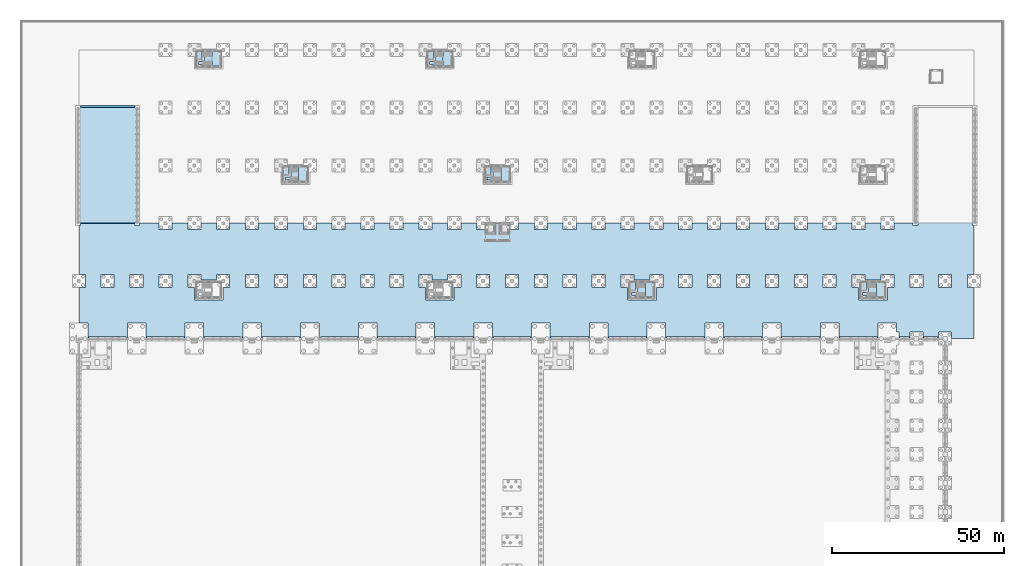
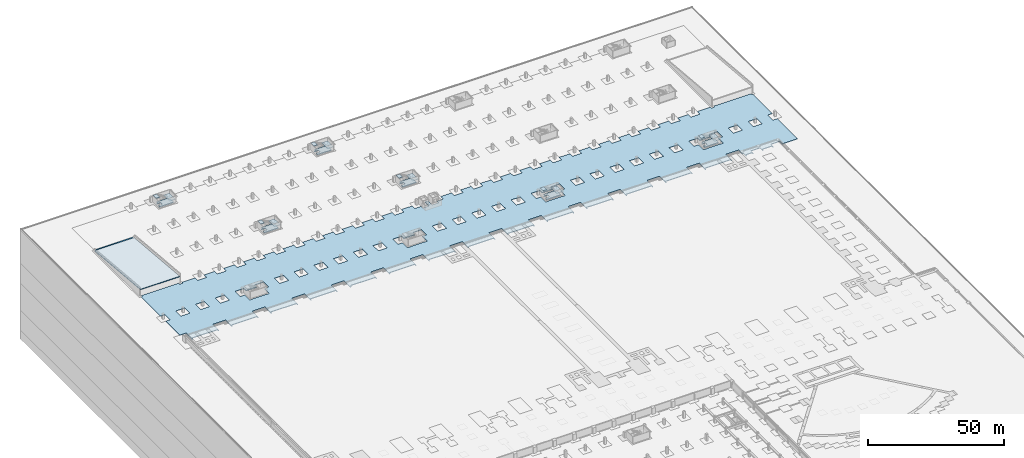
# One storey, part 32 of 67: 21 slabs, 6 elements without a shape of their own.
"""IFC4 building model written with IfcOpenShell, lengths in metres."""

from ifc_helpers import new_model, si_unit, direction, frame, origin, place, context, subcontext, project, spatial, polyline, outline, extrude, material, layer, layer_set, type_object, element, aggregate, save


model = new_model("IFC4")

# Units and contexts
model_context = context("Model", 3, precision=1e-05, world=origin(), true_north=direction((0.0, 1.0)))
body_context = subcontext(model_context, "Body", "Model", "MODEL_VIEW")
ifc_project = project(units=[si_unit("LENGTHUNIT", "METRE"), si_unit("AREAUNIT", "SQUARE_METRE"), si_unit("VOLUMEUNIT", "CUBIC_METRE"), si_unit("PLANEANGLEUNIT", "RADIAN"), si_unit("MASSUNIT", "GRAM", prefix="KILO")], contexts=[model_context])

# Site, building, storey
site_placement = place(None, origin())
site = spatial("IfcSite", under=ifc_project, at=site_placement, CompositionType="ELEMENT")
building_placement = place(site_placement, origin())
building = spatial("IfcBuilding", under=site, at=building_placement, Name="Rain Tree Exposition and Congress Centre", CompositionType="ELEMENT")
storey_placement = place(building_placement, frame((0.0, 0.0, -3.0)))
storey = spatial("IfcBuildingStorey", under=building, at=storey_placement, Name="B1", CompositionType="ELEMENT", Elevation=-3.0)

# Slabs
ifc_material_1 = material(Name="Concrete C40/50", Category="concrete")
ifc_layer_1 = layer(ifc_material_1, 0.300048828125)
ifc_layer_set_1 = layer_set([ifc_layer_1], Name="Concrete C40/50")
slab_type_1 = type_object("IfcSlabType", Name="Base slab 300", PredefinedType="BASESLAB", material=ifc_layer_set_1)
slab_1_placement = place(storey_placement, frame((0.0, 0.0, -0.300048828125)))
element("IfcSlab", 1, at=slab_1_placement, inside=storey, type_object=slab_type_1, Name="Undercroft base slab 2", PredefinedType="BASESLAB", context=body_context, shape_type="SweptSolid", body=[
    extrude(outline(polyline([(268.300048828125, 235.199951171875), (252.5, 235.199951171875), (252.5, 234.5), (251.10009765625, 234.5), (251.10009765625, 235.199951171875), (245.5, 235.199951171875), (245.5, 233.300048828125), (241.699951171875, 233.300048828125), (241.699951171875, 235.199951171875), (237.10009765625, 235.199951171875), (237.10009765625, 233.300048828125), (233.300048828125, 233.300048828125), (233.300048828125, 235.199951171875), (228.699951171875, 235.199951171875), (228.699951171875, 233.300048828125), (224.89990234375, 233.300048828125), (224.89990234375, 235.199951171875), (220.300048828125, 235.199951171875), (220.300048828125, 233.300048828125), (216.5, 233.300048828125), (216.5, 235.199951171875), (211.89990234375, 235.199951171875), (211.89990234375, 233.300048828125), (208.10009765625, 233.300048828125), (208.10009765625, 235.199951171875), (203.5, 235.199951171875), (203.5, 233.300048828125), (199.699951171875, 233.300048828125), (199.699951171875, 235.199951171875), (195.10009765625, 235.199951171875), (195.10009765625, 233.300048828125), (191.300048828125, 233.300048828125), (191.300048828125, 235.199951171875), (186.699951171875, 235.199951171875), (186.699951171875, 233.300048828125), (182.89990234375, 233.300048828125), (182.89990234375, 235.199951171875), (178.300048828125, 235.199951171875), (178.300048828125, 233.300048828125), (174.5, 233.300048828125), (174.5, 235.199951171875), (169.89990234375, 235.199951171875), (169.89990234375, 233.300048828125), (166.10009765625, 233.300048828125), (166.10009765625, 235.199951171875), (161.5, 235.199951171875), (161.5, 233.300048828125), (157.699951171875, 233.300048828125), (157.699951171875, 235.199951171875), (153.10009765625, 235.199951171875), (153.10009765625, 233.300048828125), (149.300048828125, 233.300048828125), (149.300048828125, 235.199951171875), (144.699951171875, 235.199951171875), (144.699951171875, 233.300048828125), (140.89990234375, 233.300048828125), (140.89990234375, 235.199951171875), (136.300048828125, 235.199951171875), (136.300048828125, 233.300048828125), (133.60009765625, 233.300048828125), (133.60009765625, 232.10009765625), (130.89990234375, 232.10009765625), (130.89990234375, 235.199951171875), (129.5, 235.199951171875), (129.5, 232.10009765625), (126.800048828125, 232.10009765625), (126.800048828125, 233.300048828125), (124.10009765625, 233.300048828125), (124.10009765625, 235.199951171875), (119.5, 235.199951171875), (119.5, 233.300048828125), (115.699951171875, 233.300048828125), (115.699951171875, 235.199951171875), (111.10009765625, 235.199951171875), (111.10009765625, 233.300048828125), (107.300048828125, 233.300048828125), (107.300048828125, 235.199951171875), (102.699951171875, 235.199951171875), (102.699951171875, 233.300048828125), (98.89990234375, 233.300048828125), (98.89990234375, 235.199951171875), (94.300048828125, 235.199951171875), (94.300048828125, 233.300048828125), (90.5, 233.300048828125), (90.5, 235.199951171875), (85.89990234375, 235.199951171875), (85.89990234375, 233.300048828125), (82.10009765625, 233.300048828125), (82.10009765625, 235.199951171875), (77.5, 235.199951171875), (77.5, 233.300048828125), (73.699951171875, 233.300048828125), (73.699951171875, 235.199951171875), (69.10009765625, 235.199951171875), (69.10009765625, 233.300048828125), (65.300048828125, 233.300048828125), (65.300048828125, 235.199951171875), (60.699951171875, 235.199951171875), (60.699951171875, 233.300048828125), (56.89990234375, 233.300048828125), (56.89990234375, 235.199951171875), (52.300048828125, 235.199951171875), (52.300048828125, 233.300048828125), (48.5, 233.300048828125), (48.5, 235.199951171875), (43.89990234375, 235.199951171875), (43.89990234375, 233.300048828125), (40.10009765625, 233.300048828125), (40.10009765625, 235.199951171875), (35.5, 235.199951171875), (35.5, 233.300048828125), (31.699951171875, 233.300048828125), (31.699951171875, 235.199951171875), (26.10009765625, 235.199951171875), (26.10009765625, 234.5), (24.699951171875, 234.5), (24.699951171875, 235.199951171875), (8.89990234375, 235.199951171875), (8.89990234375, 234.5), (8.39990234375, 234.5), (8.39990234375, 220.300048828125), (10.300048828125, 220.300048828125), (10.300048828125, 216.5), (8.39990234375, 216.5), (8.39990234375, 206.10009765625), (11.10009765625, 206.10009765625), (11.10009765625, 201.60009765625), (11.39990234375, 201.60009765625), (11.39990234375, 202.300048828125), (16.05322265625, 202.300048828125), (22.199951171875, 202.300048828125), (22.199951171875, 201.60009765625), (22.5, 201.60009765625), (22.5, 206.10009765625), (27.89990234375, 206.10009765625), (27.89990234375, 201.60009765625), (28.199951171875, 201.60009765625), (28.199951171875, 202.300048828125), (31.760009765625, 202.300048828125), (39.0, 202.300048828125), (39.0, 201.60009765625), (39.300048828125, 201.60009765625), (39.300048828125, 206.10009765625), (44.699951171875, 206.10009765625), (44.699951171875, 201.60009765625), (45.0, 201.60009765625), (45.0, 202.300048828125), (47.466796875, 202.300048828125), (55.320068359375, 202.300048828125), (55.800048828125, 202.300048828125), (55.800048828125, 201.60009765625), (56.10009765625, 201.60009765625), (56.10009765625, 206.10009765625), (61.5, 206.10009765625), (61.5, 201.60009765625), (61.800048828125, 201.60009765625), (61.800048828125, 202.300048828125), (63.17333984375, 202.300048828125), (71.026611328125, 202.300048828125), (72.60009765625, 202.300048828125), (72.60009765625, 201.60009765625), (72.89990234375, 201.60009765625), (72.89990234375, 206.10009765625), (78.300048828125, 206.10009765625), (78.300048828125, 201.60009765625), (78.8798828125, 201.60009765625), (78.8798828125, 202.300048828125), (86.7333984375, 202.300048828125), (89.39990234375, 202.300048828125), (89.39990234375, 201.60009765625), (89.699951171875, 201.60009765625), (89.699951171875, 206.10009765625), (95.10009765625, 206.10009765625), (95.10009765625, 201.60009765625), (95.39990234375, 201.60009765625), (95.39990234375, 202.300048828125), (102.43994140625, 202.300048828125), (106.199951171875, 202.300048828125), (106.199951171875, 201.60009765625), (106.5, 201.60009765625), (106.5, 206.10009765625), (111.89990234375, 206.10009765625), (111.89990234375, 201.60009765625), (112.199951171875, 201.60009765625), (112.199951171875, 202.300048828125), (118.146728515625, 202.300048828125), (123.0, 202.300048828125), (123.0, 201.60009765625), (123.300048828125, 201.60009765625), (123.300048828125, 206.10009765625), (128.699951171875, 206.10009765625), (128.699951171875, 201.60009765625), (129.0, 201.60009765625), (129.0, 202.300048828125), (134.39990234375, 202.300048828125), (139.800048828125, 202.300048828125), (139.800048828125, 201.60009765625), (140.10009765625, 201.60009765625), (140.10009765625, 206.10009765625), (145.5, 206.10009765625), (145.5, 201.60009765625), (145.800048828125, 201.60009765625), (145.800048828125, 202.300048828125), (151.199951171875, 202.300048828125), (156.60009765625, 202.300048828125), (156.60009765625, 201.60009765625), (156.89990234375, 201.60009765625), (156.89990234375, 206.10009765625), (162.300048828125, 206.10009765625), (162.300048828125, 201.60009765625), (162.60009765625, 201.60009765625), (162.60009765625, 202.300048828125), (168.0, 202.300048828125), (173.39990234375, 202.300048828125), (173.39990234375, 201.60009765625), (173.699951171875, 201.60009765625), (173.699951171875, 206.10009765625), (179.10009765625, 206.10009765625), (179.10009765625, 201.60009765625), (179.39990234375, 201.60009765625), (179.39990234375, 202.300048828125), (184.800048828125, 202.300048828125), (190.199951171875, 202.300048828125), (190.199951171875, 201.60009765625), (190.5, 201.60009765625), (190.5, 206.10009765625), (195.89990234375, 206.10009765625), (195.89990234375, 201.60009765625), (196.199951171875, 201.60009765625), (196.199951171875, 202.300048828125), (201.60009765625, 202.300048828125), (207.0, 202.300048828125), (207.0, 201.60009765625), (207.300048828125, 201.60009765625), (207.300048828125, 206.10009765625), (212.699951171875, 206.10009765625), (212.699951171875, 201.60009765625), (213.0, 201.60009765625), (213.0, 202.300048828125), (218.39990234375, 202.300048828125), (223.800048828125, 202.300048828125), (223.800048828125, 201.60009765625), (224.10009765625, 201.60009765625), (224.10009765625, 206.10009765625), (229.5, 206.10009765625), (229.5, 201.60009765625), (229.800048828125, 201.60009765625), (229.800048828125, 202.300048828125), (235.199951171875, 202.300048828125), (240.60009765625, 202.300048828125), (240.60009765625, 201.60009765625), (240.89990234375, 201.60009765625), (240.89990234375, 206.10009765625), (246.300048828125, 206.10009765625), (246.300048828125, 203.5), (246.89990234375, 203.5), (246.89990234375, 201.60009765625), (247.199951171875, 201.60009765625), (247.199951171875, 202.300048828125), (249.800048828125, 202.300048828125), (249.800048828125, 201.60009765625), (250.10009765625, 201.60009765625), (250.10009765625, 203.5), (253.89990234375, 203.5), (253.89990234375, 201.60009765625), (254.199951171875, 201.60009765625), (254.199951171875, 202.300048828125), (258.199951171875, 202.300048828125), (258.199951171875, 201.60009765625), (258.5, 201.60009765625), (258.5, 203.5), (262.300048828125, 203.5), (262.300048828125, 201.60009765625), (268.800048828125, 201.60009765625), (268.800048828125, 216.5), (266.89990234375, 216.5), (266.89990234375, 220.300048828125), (268.800048828125, 220.300048828125), (268.800048828125, 234.5), (268.300048828125, 234.5), (268.300048828125, 235.199951171875)]), holes=[polyline([(43.89990234375, 220.300048828125), (40.10009765625, 220.300048828125), (40.10009765625, 216.5), (42.0, 216.5), (42.0, 212.800048828125), (43.199951171875, 212.800048828125), (43.199951171875, 212.89990234375), (46.199951171875, 212.89990234375), (49.199951171875, 212.89990234375), (49.199951171875, 212.800048828125), (50.39990234375, 212.800048828125), (50.39990234375, 213.39990234375), (50.39990234375, 216.5), (52.300048828125, 216.5), (52.300048828125, 220.300048828125), (48.5, 220.300048828125), (48.5, 218.699951171875), (46.199951171875, 218.699951171875), (43.89990234375, 218.699951171875), (43.89990234375, 220.300048828125)]), polyline([(31.699951171875, 220.300048828125), (31.699951171875, 216.5), (35.5, 216.5), (35.5, 220.300048828125), (31.699951171875, 220.300048828125)]), polyline([(65.300048828125, 220.300048828125), (65.300048828125, 216.5), (69.10009765625, 216.5), (69.10009765625, 220.300048828125), (65.300048828125, 220.300048828125)]), polyline([(14.89990234375, 220.300048828125), (14.89990234375, 216.5), (18.699951171875, 216.5), (18.699951171875, 220.300048828125), (14.89990234375, 220.300048828125)]), polyline([(56.89990234375, 220.300048828125), (56.89990234375, 216.5), (60.699951171875, 216.5), (60.699951171875, 220.300048828125), (56.89990234375, 220.300048828125)]), polyline([(23.300048828125, 216.5), (27.10009765625, 216.5), (27.10009765625, 220.300048828125), (23.300048828125, 220.300048828125), (23.300048828125, 216.5)]), polyline([(117.60009765625, 212.800048828125), (117.60009765625, 213.39990234375), (117.60009765625, 216.5), (119.5, 216.5), (119.5, 220.300048828125), (115.699951171875, 220.300048828125), (115.699951171875, 218.699951171875), (113.39990234375, 218.699951171875), (111.10009765625, 218.699951171875), (111.10009765625, 220.300048828125), (107.300048828125, 220.300048828125), (107.300048828125, 216.5), (109.199951171875, 216.5), (109.199951171875, 212.800048828125), (110.39990234375, 212.800048828125), (110.39990234375, 212.89990234375), (113.39990234375, 212.89990234375), (116.39990234375, 212.89990234375), (116.39990234375, 212.800048828125), (117.60009765625, 212.800048828125)]), polyline([(132.5, 216.5), (136.300048828125, 216.5), (136.300048828125, 220.300048828125), (132.5, 220.300048828125), (132.5, 216.5)]), polyline([(73.699951171875, 220.300048828125), (73.699951171875, 216.5), (77.5, 216.5), (77.5, 220.300048828125), (73.699951171875, 220.300048828125)]), polyline([(124.10009765625, 220.300048828125), (124.10009765625, 216.5), (127.89990234375, 216.5), (127.89990234375, 220.300048828125), (124.10009765625, 220.300048828125)]), polyline([(98.89990234375, 220.300048828125), (98.89990234375, 216.5), (102.699951171875, 216.5), (102.699951171875, 220.300048828125), (98.89990234375, 220.300048828125)]), polyline([(90.5, 220.300048828125), (90.5, 216.5), (94.300048828125, 216.5), (94.300048828125, 220.300048828125), (90.5, 220.300048828125)]), polyline([(82.10009765625, 220.300048828125), (82.10009765625, 216.5), (85.89990234375, 216.5), (85.89990234375, 220.300048828125), (82.10009765625, 220.300048828125)]), polyline([(169.89990234375, 218.699951171875), (169.89990234375, 220.300048828125), (166.10009765625, 220.300048828125), (166.10009765625, 216.5), (168.0, 216.5), (168.0, 212.800048828125), (169.199951171875, 212.800048828125), (169.199951171875, 212.89990234375), (172.199951171875, 212.89990234375), (175.199951171875, 212.89990234375), (175.199951171875, 212.800048828125), (176.39990234375, 212.800048828125), (176.39990234375, 213.39990234375), (176.39990234375, 216.5), (178.300048828125, 216.5), (178.300048828125, 220.300048828125), (174.5, 220.300048828125), (174.5, 218.699951171875), (172.199951171875, 218.699951171875), (169.89990234375, 218.699951171875)]), polyline([(199.699951171875, 220.300048828125), (199.699951171875, 216.5), (203.5, 216.5), (203.5, 220.300048828125), (199.699951171875, 220.300048828125)]), polyline([(149.300048828125, 220.300048828125), (149.300048828125, 216.5), (153.10009765625, 216.5), (153.10009765625, 220.300048828125), (149.300048828125, 220.300048828125)]), polyline([(157.699951171875, 220.300048828125), (157.699951171875, 216.5), (161.5, 216.5), (161.5, 220.300048828125), (157.699951171875, 220.300048828125)]), polyline([(182.89990234375, 220.300048828125), (182.89990234375, 216.5), (186.699951171875, 216.5), (186.699951171875, 220.300048828125), (182.89990234375, 220.300048828125)]), polyline([(140.89990234375, 216.5), (144.699951171875, 216.5), (144.699951171875, 220.300048828125), (140.89990234375, 220.300048828125), (140.89990234375, 216.5)]), polyline([(191.300048828125, 220.300048828125), (191.300048828125, 216.5), (195.10009765625, 216.5), (195.10009765625, 220.300048828125), (191.300048828125, 220.300048828125)]), polyline([(237.10009765625, 220.300048828125), (233.300048828125, 220.300048828125), (233.300048828125, 216.5), (235.199951171875, 216.5), (235.199951171875, 212.800048828125), (236.39990234375, 212.800048828125), (236.39990234375, 212.89990234375), (239.39990234375, 212.89990234375), (242.39990234375, 212.89990234375), (242.39990234375, 212.800048828125), (243.60009765625, 212.800048828125), (243.60009765625, 213.39990234375), (243.60009765625, 216.5), (245.5, 216.5), (245.5, 220.300048828125), (241.699951171875, 220.300048828125), (241.699951171875, 218.699951171875), (239.39990234375, 218.699951171875), (237.10009765625, 218.699951171875), (237.10009765625, 220.300048828125)]), polyline([(208.10009765625, 220.300048828125), (208.10009765625, 216.5), (211.89990234375, 216.5), (211.89990234375, 220.300048828125), (208.10009765625, 220.300048828125)]), polyline([(258.5, 220.300048828125), (258.5, 216.5), (262.300048828125, 216.5), (262.300048828125, 220.300048828125), (258.5, 220.300048828125)]), polyline([(250.10009765625, 220.300048828125), (250.10009765625, 216.5), (253.89990234375, 216.5), (253.89990234375, 220.300048828125), (250.10009765625, 220.300048828125)]), polyline([(224.89990234375, 220.300048828125), (224.89990234375, 216.5), (228.699951171875, 216.5), (228.699951171875, 220.300048828125), (224.89990234375, 220.300048828125)]), polyline([(216.5, 220.300048828125), (216.5, 216.5), (220.300048828125, 216.5), (220.300048828125, 220.300048828125), (216.5, 220.300048828125)])]), origin(), (0.0, 0.0, 1.0), 0.300048828125),
])
slab_2_placement = place(storey_placement, frame((0.0, 0.0, -0.300048828125)))
element("IfcSlab", 2, at=slab_2_placement, inside=storey, type_object=slab_type_1, Name="Undercroft base slab 2 part 1", PredefinedType="BASESLAB", context=body_context, shape_type="SweptSolid", body=[
    extrude(outline(polyline([(170.89990234375, 216.300048828125), (170.89990234375, 215.10009765625), (169.199951171875, 215.10009765625), (169.199951171875, 214.10009765625), (172.199951171875, 214.10009765625), (175.199951171875, 214.10009765625), (175.199951171875, 216.5), (174.5, 216.5), (174.5, 217.5), (172.199951171875, 217.5), (169.89990234375, 217.5), (169.89990234375, 216.5), (169.199951171875, 216.5), (169.199951171875, 216.300048828125), (170.300048828125, 216.300048828125), (170.89990234375, 216.300048828125)])), origin(), (0.0, 0.0, 1.0), 0.300048828125),
])
slab_3_placement = place(storey_placement, frame((0.0, 0.0, -0.300048828125)))
element("IfcSlab", 3, at=slab_3_placement, inside=storey, type_object=slab_type_1, Name="Undercroft base slab 2 part 3", PredefinedType="BASESLAB", context=body_context, shape_type="SweptSolid", body=[
    extrude(outline(polyline([(237.5, 216.300048828125), (238.10009765625, 216.300048828125), (238.10009765625, 215.10009765625), (236.39990234375, 215.10009765625), (236.39990234375, 214.10009765625), (239.39990234375, 214.10009765625), (242.39990234375, 214.10009765625), (242.39990234375, 216.5), (241.699951171875, 216.5), (241.699951171875, 217.5), (239.39990234375, 217.5), (237.10009765625, 217.5), (237.10009765625, 216.5), (236.39990234375, 216.5), (236.39990234375, 216.300048828125), (237.5, 216.300048828125)])), origin(), (0.0, 0.0, 1.0), 0.300048828125),
])
ifc_material_2 = material(Name="Concrete C40/50", Category="concrete")
ifc_layer_2 = layer(ifc_material_2, 0.300048828125)
ifc_layer_set_2 = layer_set([ifc_layer_2], Name="Concrete C40/50")
slab_type_2 = type_object("IfcSlabType", Name="Ground slab 300 logistics", PredefinedType="BASESLAB", material=ifc_layer_set_2)
slab_4_placement = place(storey_placement, frame((0.0, 0.0, -0.60009765625)))
element("IfcSlab", 4, at=slab_4_placement, inside=storey, type_object=slab_type_2, Name="Truck Ramp A toe slab", PredefinedType="BASESLAB", context=body_context, shape_type="SweptSolid", body=[
    extrude(outline(polyline([(24.699951171875, 269.39990234375), (8.89990234375, 269.39990234375), (8.89990234375, 268.800048828125), (24.699951171875, 268.800048828125), (24.699951171875, 269.39990234375)])), origin(), (0.0, 0.0, 1.0), 0.60009765625),
])
slab_5_placement = place(storey_placement, frame((0.0, 0.0, -0.300048828125)))
element("IfcSlab", 5, at=slab_5_placement, inside=storey, type_object=slab_type_2, Name="Service yard slab part 1", PredefinedType="BASESLAB", context=body_context, shape_type="SweptSolid", body=[
    extrude(outline(polyline([(127.89990234375, 251.10009765625), (127.89990234375, 250.10009765625), (127.199951171875, 250.10009765625), (127.199951171875, 249.89990234375), (128.300048828125, 249.89990234375), (128.89990234375, 249.89990234375), (128.89990234375, 248.699951171875), (127.199951171875, 248.699951171875), (127.199951171875, 247.699951171875), (130.199951171875, 247.699951171875), (133.199951171875, 247.699951171875), (133.199951171875, 250.10009765625), (132.5, 250.10009765625), (132.5, 251.10009765625), (130.199951171875, 251.10009765625), (127.89990234375, 251.10009765625)])), origin(), (0.0, 0.0, 1.0), 0.300048828125),
])
slab_6_placement = place(storey_placement, frame((0.0, 0.0, -0.300048828125)))
element("IfcSlab", 6, at=slab_6_placement, inside=storey, type_object=slab_type_2, Name="Service yard slab part 2", PredefinedType="BASESLAB", context=body_context, shape_type="SweptSolid", body=[
    extrude(outline(polyline([(71.39990234375, 251.10009765625), (69.10009765625, 251.10009765625), (69.10009765625, 250.10009765625), (68.39990234375, 250.10009765625), (68.39990234375, 249.89990234375), (69.5, 249.89990234375), (70.10009765625, 249.89990234375), (70.10009765625, 248.699951171875), (68.39990234375, 248.699951171875), (68.39990234375, 247.699951171875), (71.39990234375, 247.699951171875), (74.39990234375, 247.699951171875), (74.39990234375, 250.10009765625), (73.699951171875, 250.10009765625), (73.699951171875, 251.10009765625), (71.39990234375, 251.10009765625)])), origin(), (0.0, 0.0, 1.0), 0.300048828125),
])
slab_7_placement = place(storey_placement, frame((0.0, 0.0, -0.300048828125)))
element("IfcSlab", 7, at=slab_7_placement, inside=storey, type_object=slab_type_2, Name="Service yard slab part 6", PredefinedType="BASESLAB", context=body_context, shape_type="SweptSolid", body=[
    extrude(outline(polyline([(112.10009765625, 283.5), (112.10009765625, 282.300048828125), (110.39990234375, 282.300048828125), (110.39990234375, 281.300048828125), (113.39990234375, 281.300048828125), (116.39990234375, 281.300048828125), (116.39990234375, 283.699951171875), (115.699951171875, 283.699951171875), (115.699951171875, 284.699951171875), (113.39990234375, 284.699951171875), (111.10009765625, 284.699951171875), (111.10009765625, 283.699951171875), (110.39990234375, 283.699951171875), (110.39990234375, 283.5), (111.5, 283.5), (112.10009765625, 283.5)])), origin(), (0.0, 0.0, 1.0), 0.300048828125),
])
slab_8_placement = place(storey_placement, frame((0.0, 0.0, -0.300048828125)))
element("IfcSlab", 8, at=slab_8_placement, inside=storey, type_object=slab_type_2, Name="Service yard slab part 8", PredefinedType="BASESLAB", context=body_context, shape_type="SweptSolid", body=[
    extrude(outline(polyline([(46.199951171875, 284.699951171875), (43.89990234375, 284.699951171875), (43.89990234375, 283.699951171875), (43.199951171875, 283.699951171875), (43.199951171875, 283.5), (44.300048828125, 283.5), (44.89990234375, 283.5), (44.89990234375, 282.300048828125), (43.199951171875, 282.300048828125), (43.199951171875, 281.300048828125), (46.199951171875, 281.300048828125), (49.199951171875, 281.300048828125), (49.199951171875, 283.699951171875), (48.5, 283.699951171875), (48.5, 284.699951171875), (46.199951171875, 284.699951171875)])), origin(), (0.0, 0.0, 1.0), 0.300048828125),
])

# Stair, slabs
ifc_material_3 = material(Name="Precast concrete C50/60", Category="concrete")
stair_type = type_object("IfcStairType", Name="Exit stair 1600 wide", PredefinedType="HALF_TURN_STAIR", material=ifc_material_3)
stair_1_placement = place(storey_placement, origin())
stair_1 = element("IfcStair", 9, at=stair_1_placement, inside=storey, type_object=stair_type, Name="Exit stair N03", PredefinedType="HALF_TURN_STAIR")
ifc_material_4 = material(Name="Precast concrete C50/60", Category="concrete")
ifc_layer_3 = layer(ifc_material_4, 0.199951171875)
ifc_layer_set_3 = layer_set([ifc_layer_3], Name="Precast concrete C50/60")
slab_type_3 = type_object("IfcSlabType", Name="Precast landing 200", PredefinedType="LANDING", material=ifc_layer_set_3)
slab_9_placement = place(storey_placement, frame((0.0, 0.0, 1.300048828125)))
slab_9 = element("IfcSlab", 10, at=slab_9_placement, type_object=slab_type_3, Name="XS-N03 landing 1", PredefinedType="LANDING", context=body_context, shape_type="SweptSolid", body=[
    extrude(outline(polyline([(173.159912109375, 213.60009765625), (175.699951171875, 213.60009765625), (175.699951171875, 218.0), (173.159912109375, 218.0), (173.159912109375, 213.60009765625)])), origin(), (0.0, 0.0, 1.0), 0.199951171875),
])
slab_10_placement = place(storey_placement, frame((0.0, 0.0, 2.800048828125)))
slab_10 = element("IfcSlab", 11, at=slab_10_placement, type_object=slab_type_3, Name="XS-N03 landing 2", PredefinedType="LANDING", context=body_context, shape_type="SweptSolid", body=[
    extrude(outline(polyline([(168.699951171875, 215.800048828125), (170.300048828125, 215.800048828125), (170.300048828125, 218.0), (168.699951171875, 218.0), (168.699951171875, 215.800048828125)])), origin(), (0.0, 0.0, 1.0), 0.199951171875),
])
aggregate(stair_1, [slab_9, slab_10])

stair_2_placement = place(storey_placement, origin())
stair_2 = element("IfcStair", 12, at=stair_2_placement, inside=storey, type_object=stair_type, Name="Exit stair N04", PredefinedType="HALF_TURN_STAIR")
slab_11_placement = place(storey_placement, frame((0.0, 0.0, 1.300048828125)))
slab_11 = element("IfcSlab", 13, at=slab_11_placement, type_object=slab_type_3, Name="XS-N04 landing 1", PredefinedType="LANDING", context=body_context, shape_type="SweptSolid", body=[
    extrude(outline(polyline([(240.360107421875, 213.60009765625), (242.89990234375, 213.60009765625), (242.89990234375, 218.0), (240.360107421875, 218.0), (240.360107421875, 213.60009765625)])), origin(), (0.0, 0.0, 1.0), 0.199951171875),
])
slab_12_placement = place(storey_placement, frame((0.0, 0.0, 2.800048828125)))
slab_12 = element("IfcSlab", 14, at=slab_12_placement, type_object=slab_type_3, Name="XS-N04 landing 2", PredefinedType="LANDING", context=body_context, shape_type="SweptSolid", body=[
    extrude(outline(polyline([(235.89990234375, 215.800048828125), (237.5, 215.800048828125), (237.5, 218.0), (235.89990234375, 218.0), (235.89990234375, 215.800048828125)])), origin(), (0.0, 0.0, 1.0), 0.199951171875),
])
aggregate(stair_2, [slab_11, slab_12])

stair_3_placement = place(storey_placement, origin())
stair_3 = element("IfcStair", 15, at=stair_3_placement, inside=storey, type_object=stair_type, Name="Exit stair N05", PredefinedType="HALF_TURN_STAIR")
slab_13_placement = place(storey_placement, frame((0.0, 0.0, 1.300048828125)))
slab_13 = element("IfcSlab", 16, at=slab_13_placement, type_object=slab_type_3, Name="XS-N05 landing 1", PredefinedType="LANDING", context=body_context, shape_type="SweptSolid", body=[
    extrude(outline(polyline([(72.360107421875, 247.199951171875), (74.89990234375, 247.199951171875), (74.89990234375, 251.60009765625), (72.360107421875, 251.60009765625), (72.360107421875, 247.199951171875)])), origin(), (0.0, 0.0, 1.0), 0.199951171875),
])
slab_14_placement = place(storey_placement, frame((0.0, 0.0, 2.800048828125)))
slab_14 = element("IfcSlab", 17, at=slab_14_placement, type_object=slab_type_3, Name="XS-N05 landing 2", PredefinedType="LANDING", context=body_context, shape_type="SweptSolid", body=[
    extrude(outline(polyline([(67.89990234375, 249.39990234375), (69.5, 249.39990234375), (69.5, 251.60009765625), (67.89990234375, 251.60009765625), (67.89990234375, 249.39990234375)])), origin(), (0.0, 0.0, 1.0), 0.199951171875),
])
aggregate(stair_3, [slab_13, slab_14])

stair_4_placement = place(storey_placement, origin())
stair_4 = element("IfcStair", 18, at=stair_4_placement, inside=storey, type_object=stair_type, Name="Exit stair N06", PredefinedType="HALF_TURN_STAIR")
slab_15_placement = place(storey_placement, frame((0.0, 0.0, 1.300048828125)))
slab_15 = element("IfcSlab", 19, at=slab_15_placement, type_object=slab_type_3, Name="XS-N06 landing 1", PredefinedType="LANDING", context=body_context, shape_type="SweptSolid", body=[
    extrude(outline(polyline([(131.159912109375, 247.199951171875), (133.699951171875, 247.199951171875), (133.699951171875, 251.60009765625), (131.159912109375, 251.60009765625), (131.159912109375, 247.199951171875)])), origin(), (0.0, 0.0, 1.0), 0.199951171875),
])
slab_16_placement = place(storey_placement, frame((0.0, 0.0, 2.800048828125)))
slab_16 = element("IfcSlab", 20, at=slab_16_placement, type_object=slab_type_3, Name="XS-N06 landing 2", PredefinedType="LANDING", context=body_context, shape_type="SweptSolid", body=[
    extrude(outline(polyline([(126.699951171875, 249.39990234375), (128.300048828125, 249.39990234375), (128.300048828125, 251.60009765625), (126.699951171875, 251.60009765625), (126.699951171875, 249.39990234375)])), origin(), (0.0, 0.0, 1.0), 0.199951171875),
])
aggregate(stair_4, [slab_15, slab_16])

stair_5_placement = place(storey_placement, origin())
stair_5 = element("IfcStair", 21, at=stair_5_placement, inside=storey, type_object=stair_type, Name="Exit stair N09", PredefinedType="HALF_TURN_STAIR")
slab_17_placement = place(storey_placement, frame((0.0, 0.0, 1.300048828125)))
slab_17 = element("IfcSlab", 22, at=slab_17_placement, type_object=slab_type_3, Name="XS-N09 landing 1", PredefinedType="LANDING", context=body_context, shape_type="SweptSolid", body=[
    extrude(outline(polyline([(47.159912109375, 280.800048828125), (49.699951171875, 280.800048828125), (49.699951171875, 285.199951171875), (47.159912109375, 285.199951171875), (47.159912109375, 280.800048828125)])), origin(), (0.0, 0.0, 1.0), 0.199951171875),
])
slab_18_placement = place(storey_placement, frame((0.0, 0.0, 2.800048828125)))
slab_18 = element("IfcSlab", 23, at=slab_18_placement, type_object=slab_type_3, Name="XS-N09 landing 2", PredefinedType="LANDING", context=body_context, shape_type="SweptSolid", body=[
    extrude(outline(polyline([(42.699951171875, 283.0), (44.300048828125, 283.0), (44.300048828125, 285.199951171875), (42.699951171875, 285.199951171875), (42.699951171875, 283.0)])), origin(), (0.0, 0.0, 1.0), 0.199951171875),
])
aggregate(stair_5, [slab_17, slab_18])

stair_6_placement = place(storey_placement, origin())
stair_6 = element("IfcStair", 24, at=stair_6_placement, inside=storey, type_object=stair_type, Name="Exit stair N10", PredefinedType="HALF_TURN_STAIR")
slab_19_placement = place(storey_placement, frame((0.0, 0.0, 1.300048828125)))
slab_19 = element("IfcSlab", 25, at=slab_19_placement, type_object=slab_type_3, Name="XS-N10 landing 1", PredefinedType="LANDING", context=body_context, shape_type="SweptSolid", body=[
    extrude(outline(polyline([(114.360107421875, 280.800048828125), (116.89990234375, 280.800048828125), (116.89990234375, 285.199951171875), (114.360107421875, 285.199951171875), (114.360107421875, 280.800048828125)])), origin(), (0.0, 0.0, 1.0), 0.199951171875),
])
slab_20_placement = place(storey_placement, frame((0.0, 0.0, 2.800048828125)))
slab_20 = element("IfcSlab", 26, at=slab_20_placement, type_object=slab_type_3, Name="XS-N10 landing 2", PredefinedType="LANDING", context=body_context, shape_type="SweptSolid", body=[
    extrude(outline(polyline([(109.89990234375, 283.0), (111.5, 283.0), (111.5, 285.199951171875), (109.89990234375, 285.199951171875), (109.89990234375, 283.0)])), origin(), (0.0, 0.0, 1.0), 0.199951171875),
])
aggregate(stair_6, [slab_19, slab_20])

# Slab
ifc_material_5 = material(Name="Concrete C40/50", Category="concrete")
ifc_layer_4 = layer(ifc_material_5, 0.300048828125)
ifc_layer_set_4 = layer_set([ifc_layer_4], Name="Concrete C40/50")
slab_type_4 = type_object("IfcSlabType", Name="Truck ramp slab 300", PredefinedType="FLOOR", material=ifc_layer_set_4)
slab_21_placement = place(storey_placement, frame((8.39990234375, 268.800048828125, 0.0), z_axis=(0.0, 0.088931681545, 0.99603772821), x_axis=(1.0, 0.0, 0.0)))
element("IfcSlab", 27, at=slab_21_placement, inside=storey, type_object=slab_type_4, Name="Truck Ramp A loading slab", PredefinedType="FLOOR", context=body_context, shape_type="SweptSolid", body=[
    extrude(outline(polyline([(0.0, 0.0), (16.800048828125, 0.0), (16.800048828125, -33.73375998179771), (0.0, -33.73375998179771), (0.0, 0.0)])), origin(), (0.0, 0.0, -1.0), 0.300048828125),
])

save(model, "model.ifc")
